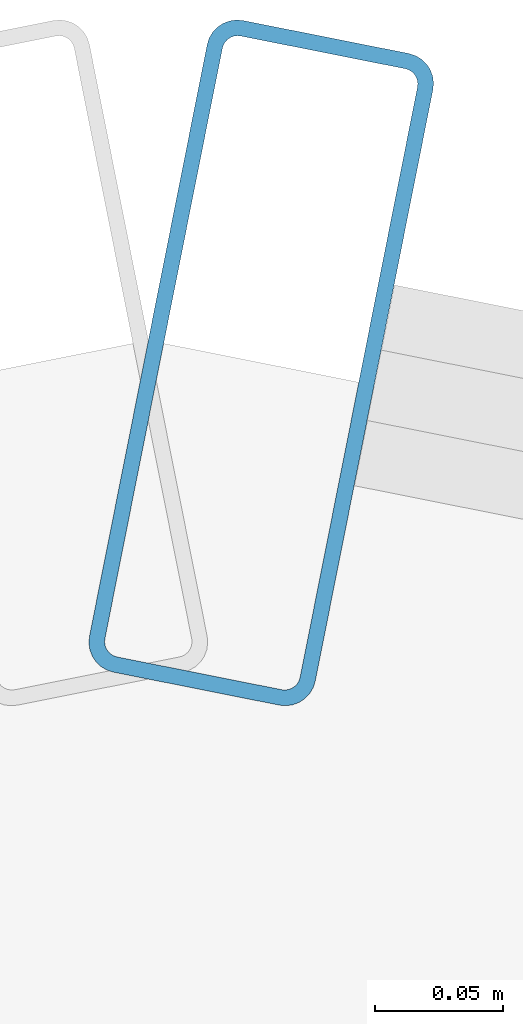
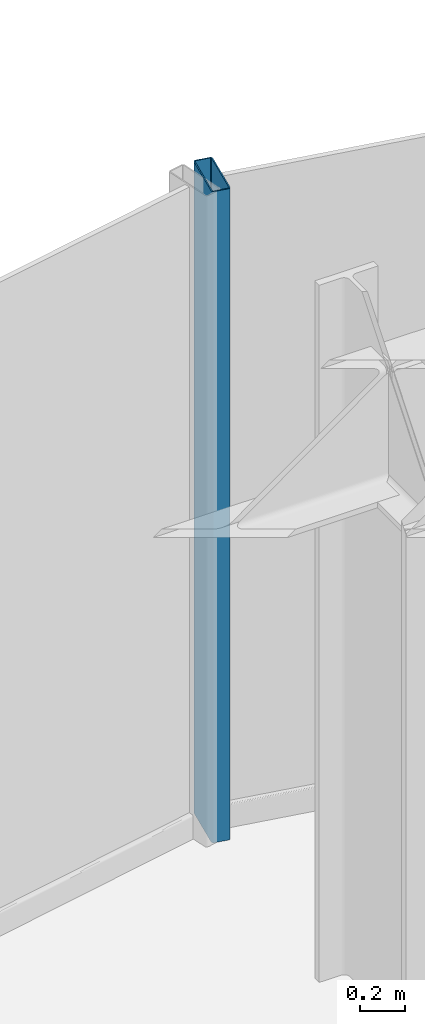
# One storey, part 15 of 23: 1 member, 1 element without a shape of its own.
"""IFC4 building model written with IfcOpenShell, lengths in metres."""

from ifc_helpers import new_model, si_unit, direction, frame, origin, origin_2d, place, context, subcontext, project, spatial, hollow_rectangle, extrude, source, transform, mapped, material, layer, layer_set, material_profile, profile_set, type_object, element, aggregate, save


model = new_model("IFC4")

# Units and contexts
model_context = context("Model", 3, precision=1e-05, world=origin(), true_north=direction((0.0, 1.0)))
body_context = subcontext(model_context, "Body", "Model", "MODEL_VIEW")
ifc_project = project(units=[si_unit("LENGTHUNIT", "METRE"), si_unit("AREAUNIT", "SQUARE_METRE"), si_unit("VOLUMEUNIT", "CUBIC_METRE"), si_unit("PLANEANGLEUNIT", "RADIAN"), si_unit("MASSUNIT", "GRAM", prefix="KILO")], contexts=[model_context])

# Site, building, storey
site_placement = place(None, origin())
site = spatial("IfcSite", under=ifc_project, at=site_placement, CompositionType="ELEMENT")
building_placement = place(site_placement, origin())
building = spatial("IfcBuilding", under=site, at=building_placement, Name="Nefas-Gora Pilgrimage Tower", CompositionType="ELEMENT")
storey_placement = place(building_placement, frame((0.0, 0.0, 190.60009765625)))
storey = spatial("IfcBuildingStorey", under=building, at=storey_placement, Name="L47", CompositionType="ELEMENT", Elevation=190.60009765625)

# Curtain wall, member
ifc_material_1 = material(Name="Dark ceramic-fritted solar-control aluminium-glass curtain wall", Category="aluminium")
ifc_layer = layer(ifc_material_1, 0.219970703125)
ifc_layer_set = layer_set([ifc_layer], Name="Dark ceramic-fritted solar-control aluminium-glass curtain wall")
curtain_wall_type = type_object("IfcCurtainWallType", Name="CW-SYS-5", PredefinedType="NOTDEFINED", material=ifc_layer_set)
curtain_wall_placement = place(storey_placement, origin())
curtain_wall = element("IfcCurtainWall", 1, at=curtain_wall_placement, inside=storey, type_object=curtain_wall_type, Name="L47 Unitised Curtain Wall CW5", PredefinedType="NOTDEFINED")
ifc_material_2 = material(Name="Anodised architectural aluminium", Category="aluminium")
ifc_material_profile = material_profile(ifc_material_2, hollow_rectangle(XDim=0.090087890625, YDim=0.260009765625, WallThickness=0.006103515625, InnerFilletRadius=0.006103515625, OuterFilletRadius=0.011962890625, at=origin_2d()), Name="ALU MULLION 90x260")
ifc_profile_set = profile_set([ifc_material_profile], Name="Anodised architectural aluminium")
member_type = type_object("IfcMemberType", Name="CWM-MUL-5", PredefinedType="MULLION", material=ifc_profile_set)
shared_shape = source(origin(), body_context, "Body", "SweptSolid", [
    extrude(hollow_rectangle(XDim=0.090087890625, YDim=0.260009765625, WallThickness=0.006103515625, InnerFilletRadius=0.006103515625, OuterFilletRadius=0.011962890625, at=origin_2d()), origin(), (0.0, 0.0, 1.0), 3.5498046875),
])
member_placement = place(storey_placement, frame((-2.205810546875, 24.16357421875, 0.0), z_axis=(0.0, 0.0, 1.0), x_axis=(-0.980782896852, 0.195102304554, 0.0)))
member = element("IfcMember", 2, at=member_placement, type_object=member_type, Name="CW5 Mullion 2", PredefinedType="MULLION", context=body_context, shape_type="MappedRepresentation", body=[
    mapped(shared_shape, transform((0.0, 0.0, 0.0), x_axis=(1.0, 0.0, 0.0), y_axis=(0.0, 1.0, 0.0), z_axis=(0.0, 0.0, 1.0), scale=1.0)),
])
aggregate(curtain_wall, [member])

save(model, "model.ifc")
